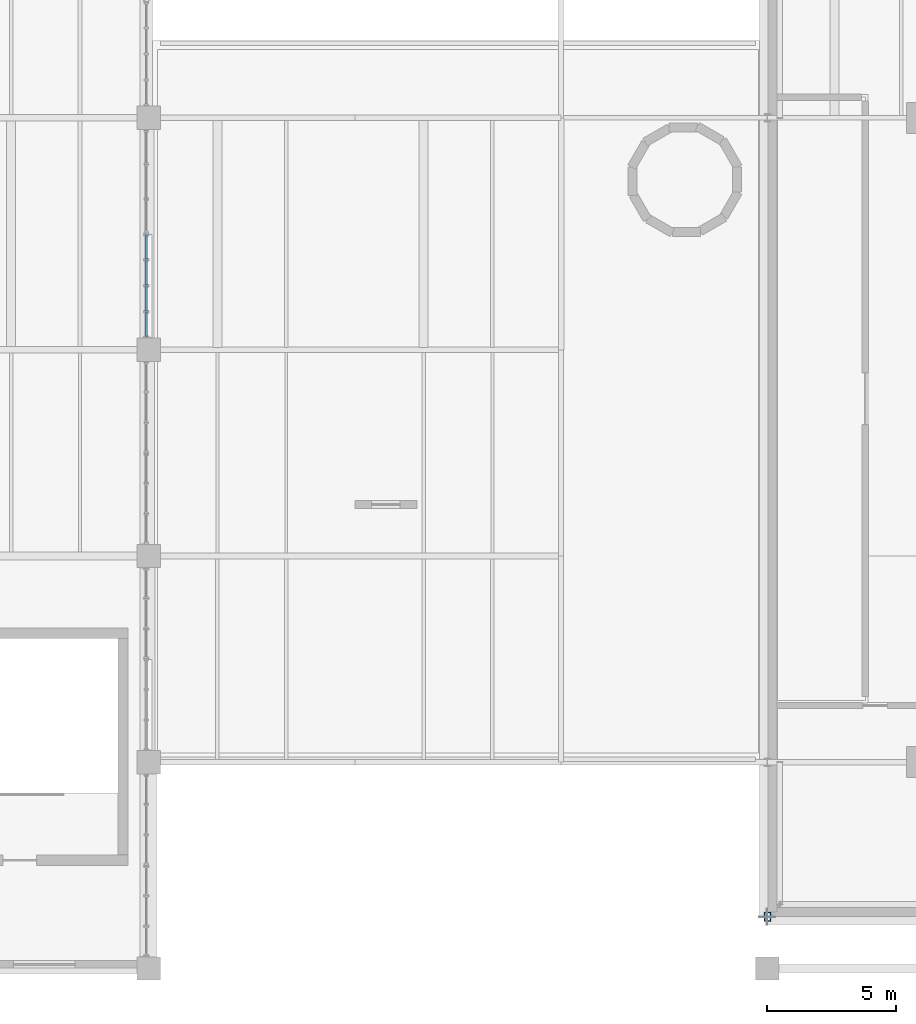
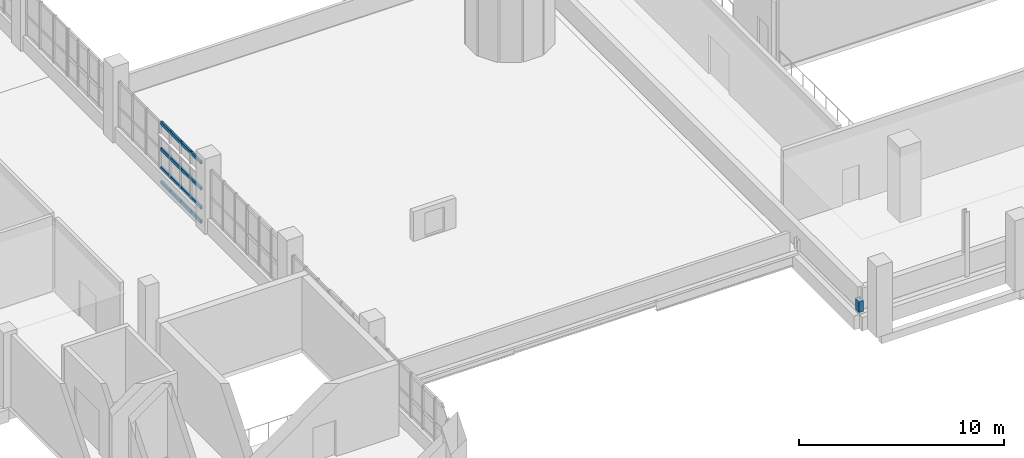
# One storey, part 45 of 85: 17 members, 1 element without a shape of its own.
"""IFC4 building model written with IfcOpenShell, lengths in metres."""

from ifc_helpers import new_model, si_unit, derived_unit, direction, frame, origin, origin_2d, place, context, subcontext, project, spatial, hollow_rectangle, extrude, material, layer, layer_set, material_profile, profile_set, type_object, element, aggregate, save


model = new_model("IFC4")

# Units and contexts
model_context = context("Model", 3, precision=1e-05, world=origin(), true_north=direction((0.0, 1.0)))
body_context = subcontext(model_context, "Body", "Model", "MODEL_VIEW")
ifc_project = project(units=[si_unit("LENGTHUNIT", "METRE"), si_unit("AREAUNIT", "SQUARE_METRE"), si_unit("VOLUMEUNIT", "CUBIC_METRE"), si_unit("PLANEANGLEUNIT", "RADIAN"), si_unit("MASSUNIT", "GRAM", prefix="KILO"), derived_unit("THERMALTRANSMITTANCEUNIT", [(si_unit("POWERUNIT", "WATT"), 1), (si_unit("LENGTHUNIT", "METRE"), -2), (si_unit("THERMODYNAMICTEMPERATUREUNIT", "KELVIN"), -1)])], contexts=[model_context])

# Site, building, storey
site_placement = place(None, origin())
site = spatial("IfcSite", under=ifc_project, at=site_placement, CompositionType="ELEMENT")
building_placement = place(site_placement, origin())
building = spatial("IfcBuilding", under=site, at=building_placement, Name="Nallur Shell Playhouse", CompositionType="ELEMENT")
storey_placement = place(building_placement, frame((0.0, 0.0, 19.800048828125)))
storey = spatial("IfcBuildingStorey", under=building, at=storey_placement, Name="L05", CompositionType="ELEMENT", Elevation=19.800048828125)

# Curtain wall, members
ifc_material_1 = material(Name="Anodised Aluminium Double-Glazed Facade System", Category="aluminium")
ifc_layer = layer(ifc_material_1, 0.16796875)
ifc_layer_set = layer_set([ifc_layer], Name="Anodised Aluminium Double-Glazed Facade System")
curtain_wall_type = type_object("IfcCurtainWallType", Name="CW-UNIT-20", PredefinedType="NOTDEFINED", material=ifc_layer_set)
curtain_wall_placement = place(storey_placement, origin())
curtain_wall = element("IfcCurtainWall", 1, at=curtain_wall_placement, inside=storey, type_object=curtain_wall_type, Name="Unitised curtain wall CW-180 (L05)", PredefinedType="NOTDEFINED")
ifc_material_2 = material(Name="Aluminium Alloy 6063-T6 Transom", Category="aluminium")
ifc_material_profile_1 = material_profile(ifc_material_2, hollow_rectangle(XDim=0.10009765625, YDim=0.199951171875, WallThickness=0.008056640625, at=origin_2d()), Name="RHS 200x100x8")
ifc_profile_set_1 = profile_set([ifc_material_profile_1], Name="Aluminium Alloy 6063-T6 Transom")
member_type_1 = type_object("IfcMemberType", Name="MB-CW-TRN140", PredefinedType="USERDEFINED", material=ifc_profile_set_1)
member_1_placement = place(storey_placement, frame((39.909912109375, 36.427978515625, 0.050048828125), z_axis=(0.0, -1.0, 0.0), x_axis=(1.0, 0.0, 0.0)))
member_1 = element("IfcMember", 2, at=member_1_placement, type_object=member_type_1, Name="CW-20 transom 1.1", ObjectType="TRANSOM", PredefinedType="USERDEFINED", context=body_context, shape_type="SweptSolid", body=[
    extrude(hollow_rectangle(XDim=0.10009765625, YDim=0.199951171875, WallThickness=0.008056640625, at=origin_2d()), origin(), (0.0, 0.0, 1.0), 0.912841796875),
])
member_2_placement = place(storey_placement, frame((39.909912109375, 36.427978515625, 0.89990234375), z_axis=(0.0, -1.0, 0.0), x_axis=(1.0, 0.0, 0.0)))
member_2 = element("IfcMember", 3, at=member_2_placement, type_object=member_type_1, Name="CW-20 transom 1.2", ObjectType="TRANSOM", PredefinedType="USERDEFINED", context=body_context, shape_type="SweptSolid", body=[
    extrude(hollow_rectangle(XDim=0.10009765625, YDim=0.199951171875, WallThickness=0.008056640625, at=origin_2d()), origin(), (0.0, 0.0, 1.0), 0.912841796875),
])
member_3_placement = place(storey_placement, frame((39.909912109375, 36.427978515625, 2.035888671875), z_axis=(0.0, -1.0, 0.0), x_axis=(1.0, 0.0, 0.0)))
member_3 = element("IfcMember", 4, at=member_3_placement, type_object=member_type_1, Name="CW-20 transom 1.3", ObjectType="TRANSOM", PredefinedType="USERDEFINED", context=body_context, shape_type="SweptSolid", body=[
    extrude(hollow_rectangle(XDim=0.10009765625, YDim=0.199951171875, WallThickness=0.008056640625, at=origin_2d()), origin(), (0.0, 0.0, 1.0), 0.912841796875),
])
member_4_placement = place(storey_placement, frame((39.909912109375, 36.427978515625, 3.5849609375), z_axis=(0.0, -1.0, 0.0), x_axis=(1.0, 0.0, 0.0)))
member_4 = element("IfcMember", 5, at=member_4_placement, type_object=member_type_1, Name="CW-20 transom 1.4", ObjectType="TRANSOM", PredefinedType="USERDEFINED", context=body_context, shape_type="SweptSolid", body=[
    extrude(hollow_rectangle(XDim=0.10009765625, YDim=0.199951171875, WallThickness=0.008056640625, at=origin_2d()), origin(), (0.0, 0.0, 1.0), 0.912841796875),
])
member_5_placement = place(storey_placement, frame((39.909912109375, 35.456298828125, 0.050048828125), z_axis=(0.0, -1.0, 0.0), x_axis=(1.0, 0.0, 0.0)))
member_5 = element("IfcMember", 6, at=member_5_placement, type_object=member_type_1, Name="CW-20 transom 2.1", ObjectType="TRANSOM", PredefinedType="USERDEFINED", context=body_context, shape_type="SweptSolid", body=[
    extrude(hollow_rectangle(XDim=0.10009765625, YDim=0.199951171875, WallThickness=0.008056640625, at=origin_2d()), origin(), (0.0, 0.0, 1.0), 0.9501953125),
])
member_6_placement = place(storey_placement, frame((39.909912109375, 35.456298828125, 0.89990234375), z_axis=(0.0, -1.0, 0.0), x_axis=(1.0, 0.0, 0.0)))
member_6 = element("IfcMember", 7, at=member_6_placement, type_object=member_type_1, Name="CW-20 transom 2.2", ObjectType="TRANSOM", PredefinedType="USERDEFINED", context=body_context, shape_type="SweptSolid", body=[
    extrude(hollow_rectangle(XDim=0.10009765625, YDim=0.199951171875, WallThickness=0.008056640625, at=origin_2d()), origin(), (0.0, 0.0, 1.0), 0.9501953125),
])
member_7_placement = place(storey_placement, frame((39.909912109375, 35.456298828125, 2.035888671875), z_axis=(0.0, -1.0, 0.0), x_axis=(1.0, 0.0, 0.0)))
member_7 = element("IfcMember", 8, at=member_7_placement, type_object=member_type_1, Name="CW-20 transom 2.3", ObjectType="TRANSOM", PredefinedType="USERDEFINED", context=body_context, shape_type="SweptSolid", body=[
    extrude(hollow_rectangle(XDim=0.10009765625, YDim=0.199951171875, WallThickness=0.008056640625, at=origin_2d()), origin(), (0.0, 0.0, 1.0), 0.9501953125),
])
member_8_placement = place(storey_placement, frame((39.909912109375, 35.456298828125, 3.5849609375), z_axis=(0.0, -1.0, 0.0), x_axis=(1.0, 0.0, 0.0)))
member_8 = element("IfcMember", 9, at=member_8_placement, type_object=member_type_1, Name="CW-20 transom 2.4", ObjectType="TRANSOM", PredefinedType="USERDEFINED", context=body_context, shape_type="SweptSolid", body=[
    extrude(hollow_rectangle(XDim=0.10009765625, YDim=0.199951171875, WallThickness=0.008056640625, at=origin_2d()), origin(), (0.0, 0.0, 1.0), 0.9501953125),
])
member_9_placement = place(storey_placement, frame((39.909912109375, 34.447021484375, 0.050048828125), z_axis=(0.0, -1.0, 0.0), x_axis=(1.0, 0.0, 0.0)))
member_9 = element("IfcMember", 10, at=member_9_placement, type_object=member_type_1, Name="CW-20 transom 3.1", ObjectType="TRANSOM", PredefinedType="USERDEFINED", context=body_context, shape_type="SweptSolid", body=[
    extrude(hollow_rectangle(XDim=0.10009765625, YDim=0.199951171875, WallThickness=0.008056640625, at=origin_2d()), origin(), (0.0, 0.0, 1.0), 0.9501953125),
])
member_10_placement = place(storey_placement, frame((39.909912109375, 34.447021484375, 0.89990234375), z_axis=(0.0, -1.0, 0.0), x_axis=(1.0, 0.0, 0.0)))
member_10 = element("IfcMember", 11, at=member_10_placement, type_object=member_type_1, Name="CW-20 transom 3.2", ObjectType="TRANSOM", PredefinedType="USERDEFINED", context=body_context, shape_type="SweptSolid", body=[
    extrude(hollow_rectangle(XDim=0.10009765625, YDim=0.199951171875, WallThickness=0.008056640625, at=origin_2d()), origin(), (0.0, 0.0, 1.0), 0.9501953125),
])
member_11_placement = place(storey_placement, frame((39.909912109375, 34.447021484375, 2.035888671875), z_axis=(0.0, -1.0, 0.0), x_axis=(1.0, 0.0, 0.0)))
member_11 = element("IfcMember", 12, at=member_11_placement, type_object=member_type_1, Name="CW-20 transom 3.3", ObjectType="TRANSOM", PredefinedType="USERDEFINED", context=body_context, shape_type="SweptSolid", body=[
    extrude(hollow_rectangle(XDim=0.10009765625, YDim=0.199951171875, WallThickness=0.008056640625, at=origin_2d()), origin(), (0.0, 0.0, 1.0), 0.9501953125),
])
member_12_placement = place(storey_placement, frame((39.909912109375, 34.447021484375, 3.5849609375), z_axis=(0.0, -1.0, 0.0), x_axis=(1.0, 0.0, 0.0)))
member_12 = element("IfcMember", 13, at=member_12_placement, type_object=member_type_1, Name="CW-20 transom 3.4", ObjectType="TRANSOM", PredefinedType="USERDEFINED", context=body_context, shape_type="SweptSolid", body=[
    extrude(hollow_rectangle(XDim=0.10009765625, YDim=0.199951171875, WallThickness=0.008056640625, at=origin_2d()), origin(), (0.0, 0.0, 1.0), 0.9501953125),
])
member_13_placement = place(storey_placement, frame((39.909912109375, 33.437744140625, 0.050048828125), z_axis=(0.0, -1.0, 0.0), x_axis=(1.0, 0.0, 0.0)))
member_13 = element("IfcMember", 14, at=member_13_placement, type_object=member_type_1, Name="CW-20 transom 4.1", ObjectType="TRANSOM", PredefinedType="USERDEFINED", context=body_context, shape_type="SweptSolid", body=[
    extrude(hollow_rectangle(XDim=0.10009765625, YDim=0.199951171875, WallThickness=0.008056640625, at=origin_2d()), origin(), (0.0, 0.0, 1.0), 0.912841796875),
])
member_14_placement = place(storey_placement, frame((39.909912109375, 33.437744140625, 0.89990234375), z_axis=(0.0, -1.0, 0.0), x_axis=(1.0, 0.0, 0.0)))
member_14 = element("IfcMember", 15, at=member_14_placement, type_object=member_type_1, Name="CW-20 transom 4.2", ObjectType="TRANSOM", PredefinedType="USERDEFINED", context=body_context, shape_type="SweptSolid", body=[
    extrude(hollow_rectangle(XDim=0.10009765625, YDim=0.199951171875, WallThickness=0.008056640625, at=origin_2d()), origin(), (0.0, 0.0, 1.0), 0.912841796875),
])
member_15_placement = place(storey_placement, frame((39.909912109375, 33.437744140625, 2.035888671875), z_axis=(0.0, -1.0, 0.0), x_axis=(1.0, 0.0, 0.0)))
member_15 = element("IfcMember", 16, at=member_15_placement, type_object=member_type_1, Name="CW-20 transom 4.3", ObjectType="TRANSOM", PredefinedType="USERDEFINED", context=body_context, shape_type="SweptSolid", body=[
    extrude(hollow_rectangle(XDim=0.10009765625, YDim=0.199951171875, WallThickness=0.008056640625, at=origin_2d()), origin(), (0.0, 0.0, 1.0), 0.912841796875),
])
member_16_placement = place(storey_placement, frame((39.909912109375, 33.437744140625, 3.5849609375), z_axis=(0.0, -1.0, 0.0), x_axis=(1.0, 0.0, 0.0)))
member_16 = element("IfcMember", 17, at=member_16_placement, type_object=member_type_1, Name="CW-20 transom 4.4", ObjectType="TRANSOM", PredefinedType="USERDEFINED", context=body_context, shape_type="SweptSolid", body=[
    extrude(hollow_rectangle(XDim=0.10009765625, YDim=0.199951171875, WallThickness=0.008056640625, at=origin_2d()), origin(), (0.0, 0.0, 1.0), 0.912841796875),
])
aggregate(curtain_wall, [member_1, member_2, member_3, member_4, member_5, member_6, member_7, member_8, member_9, member_10, member_11, member_12, member_13, member_14, member_15, member_16])

# Member
ifc_material_3 = material(Name="Steel E350", Category="steel")
ifc_material_profile_2 = material_profile(ifc_material_3, hollow_rectangle(XDim=0.25, YDim=0.35009765625, WallThickness=0.01611328125, at=origin_2d()), Name="RHS 350x250x16")
ifc_profile_set_2 = profile_set([ifc_material_profile_2], Name="Steel E350")
member_type_2 = type_object("IfcMemberType", Name="MB-FASCIA-RHS", PredefinedType="POST", material=ifc_profile_set_2)
member_17_placement = place(storey_placement, frame((64.0, 10.0, 0.0), z_axis=(0.0, 0.0, 1.0), x_axis=(1.0, 0.0, 0.0)))
element("IfcMember", 18, at=member_17_placement, inside=storey, type_object=member_type_2, Name="Cantilever truss fascia post POST-GB-L05-01", PredefinedType="POST", context=body_context, shape_type="SweptSolid", body=[
    extrude(hollow_rectangle(XDim=0.25, YDim=0.35009765625, WallThickness=0.01611328125, at=origin_2d()), origin(), (0.0, 0.0, 1.0), 0.64990234375),
])

save(model, "model.ifc")
